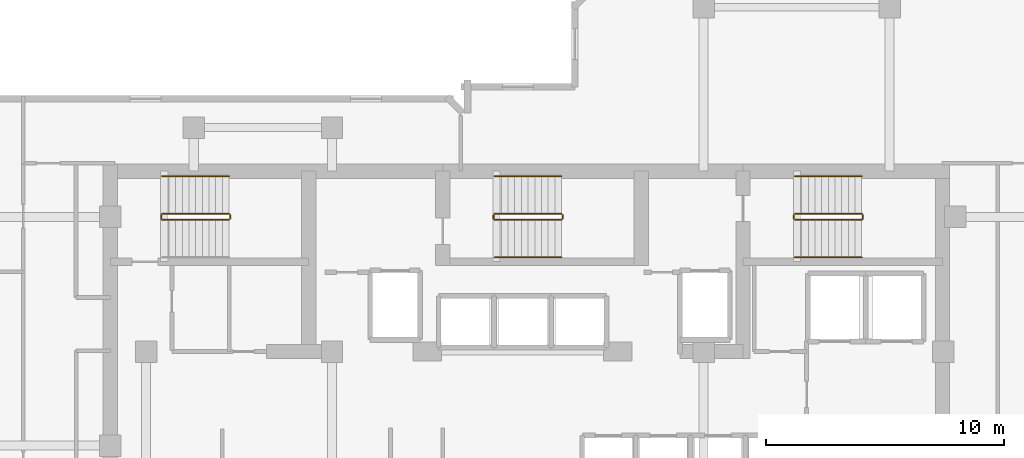
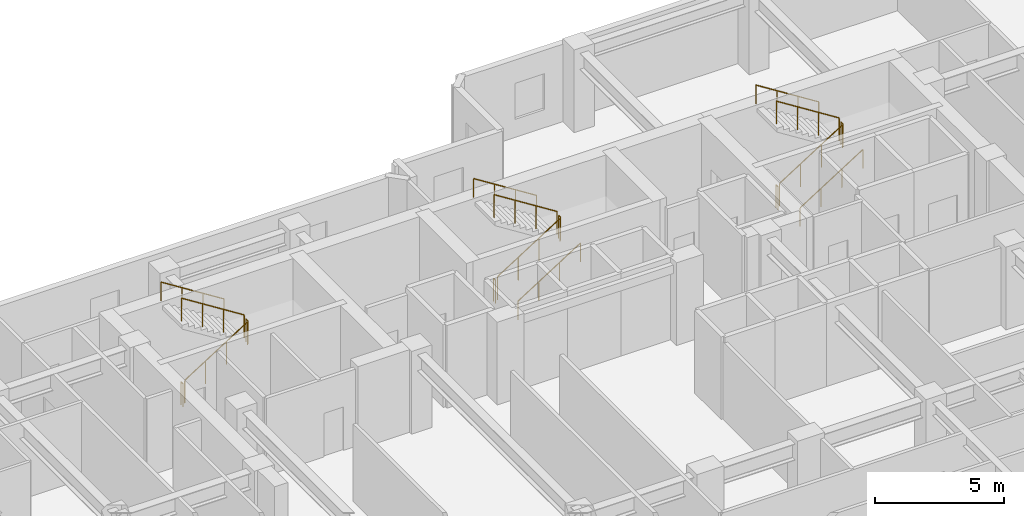
# One storey, part 10 of 10: 17 railings.
"""IFC4 building model written with IfcOpenShell, lengths in metres."""

from ifc_helpers import new_model, si_unit, direction, frame, origin, origin_2d, place, context, subcontext, project, spatial, circle, extrude, material, type_object, element, save


model = new_model("IFC4")

# Units and contexts
model_context = context("Model", 3, precision=1e-05, world=origin(), true_north=direction((0.0, 1.0)))
body_context = subcontext(model_context, "Body", "Model", "MODEL_VIEW")
ifc_project = project(units=[si_unit("LENGTHUNIT", "METRE"), si_unit("AREAUNIT", "SQUARE_METRE"), si_unit("VOLUMEUNIT", "CUBIC_METRE"), si_unit("PLANEANGLEUNIT", "RADIAN"), si_unit("MASSUNIT", "GRAM", prefix="KILO")], contexts=[model_context])

# Site, building, storey
site_placement = place(None, origin())
site = spatial("IfcSite", under=ifc_project, at=site_placement, CompositionType="ELEMENT")
building_placement = place(site_placement, origin())
building = spatial("IfcBuilding", under=site, at=building_placement, Name="Kestravale Grand Hotel", CompositionType="ELEMENT")
storey_placement = place(building_placement, frame((0.0, 0.0, 196.800048828125)))
storey = spatial("IfcBuildingStorey", under=building, at=storey_placement, Name="L49", CompositionType="ELEMENT", Elevation=196.800048828125)

# Railings
ifc_material_1 = material(Name="Painted tubular steel stair well guard", Category="steel")
railing_type_1 = type_object("IfcRailingType", Name="RL-ST-GRD1100", PredefinedType="GUARDRAIL", material=ifc_material_1)
railing_1_placement = place(storey_placement, frame((24.080078125, 38.280029296875, 0.17724609375)))
element("IfcRailing", 1, at=railing_1_placement, inside=storey, type_object=railing_type_1, Name="L49 ST-1 stair guard 1", PredefinedType="GUARDRAIL", context=body_context, shape_type="SweptSolid", body=[
    extrude(circle(Radius=0.02392578125, at=origin_2d()), frame((0.0, 0.0, 1.076171875), z_axis=(0.844887892834, 0.0, 0.53494340686), x_axis=(0.0, 1.0, 0.0)), (0.0, 0.0, 1.0), 3.313720703125),
    extrude(circle(Radius=0.02099609375, at=origin_2d()), origin(), (0.0, 0.0, 1.0), 1.052001953125),
    extrude(circle(Radius=0.02099609375, at=origin_2d()), frame((0.933349609375, 0.0, 0.5908203125)), (0.0, 0.0, 1.0), 1.052001953125),
    extrude(circle(Radius=0.02099609375, at=origin_2d()), frame((1.866455078125, 0.0, 1.181884765625)), (0.0, 0.0, 1.0), 1.052001953125),
    extrude(circle(Radius=0.02099609375, at=origin_2d()), frame((2.7998046875, 0.0, 1.772705078125)), (0.0, 0.0, 1.0), 1.052001953125),
])
railing_2_placement = place(storey_placement, frame((26.929931640625, 38.330078125, 1.949951171875)))
element("IfcRailing", 2, at=railing_2_placement, inside=storey, type_object=railing_type_1, Name="L49 ST-1 stair guard 2", PredefinedType="GUARDRAIL", context=body_context, shape_type="SweptSolid", body=[
    extrude(circle(Radius=0.02392578125, at=origin_2d()), frame((0.0, 0.0, 1.076171875), z_axis=(0.0, 1.0, 0.0), x_axis=(-1.0, 0.0, 0.0)), (0.0, 0.0, 1.0), 0.14990234375),
    extrude(circle(Radius=0.02099609375, at=origin_2d()), origin(), (0.0, 0.0, 1.0), 1.052001953125),
    extrude(circle(Radius=0.02099609375, at=origin_2d()), frame((0.0, 0.14990234375, 0.0)), (0.0, 0.0, 1.0), 1.052001953125),
])
railing_3_placement = place(storey_placement, frame((26.8798828125, 38.530029296875, 2.127197265625)))
element("IfcRailing", 3, at=railing_3_placement, inside=storey, type_object=railing_type_1, Name="L49 ST-1 stair guard 3", PredefinedType="GUARDRAIL", context=body_context, shape_type="SweptSolid", body=[
    extrude(circle(Radius=0.02392578125, at=origin_2d()), frame((0.0, 0.0, 1.076171875), z_axis=(-0.844887892834, 0.0, 0.53494340686), x_axis=(0.0, -1.0, 0.0)), (0.0, 0.0, 1.0), 3.313720703125),
    extrude(circle(Radius=0.02099609375, at=origin_2d()), origin(), (0.0, 0.0, 1.0), 1.052001953125),
    extrude(circle(Radius=0.02099609375, at=origin_2d()), frame((-0.933349609375, 0.0, 0.5908203125)), (0.0, 0.0, 1.0), 1.052001953125),
    extrude(circle(Radius=0.02099609375, at=origin_2d()), frame((-1.866455078125, 0.0, 1.181884765625)), (0.0, 0.0, 1.0), 1.052001953125),
    extrude(circle(Radius=0.02099609375, at=origin_2d()), frame((-2.7998046875, 0.0, 1.772705078125)), (0.0, 0.0, 1.0), 1.052001953125),
])
railing_4_placement = place(storey_placement, frame((24.030029296875, 38.330078125, 0.0)))
element("IfcRailing", 4, at=railing_4_placement, inside=storey, type_object=railing_type_1, Name="L49 ST-1 stair guard 4", PredefinedType="GUARDRAIL", context=body_context, shape_type="SweptSolid", body=[
    extrude(circle(Radius=0.02392578125, at=origin_2d()), frame((0.0, 0.0, 1.076171875), z_axis=(0.0, 1.0, 0.0), x_axis=(-1.0, 0.0, 0.0)), (0.0, 0.0, 1.0), 0.14990234375),
    extrude(circle(Radius=0.02099609375, at=origin_2d()), origin(), (0.0, 0.0, 1.0), 1.052001953125),
    extrude(circle(Radius=0.02099609375, at=origin_2d()), frame((0.0, 0.14990234375, 0.0)), (0.0, 0.0, 1.0), 1.052001953125),
])
railing_5_placement = place(storey_placement, frame((38.030029296875, 38.280029296875, 0.17724609375)))
element("IfcRailing", 5, at=railing_5_placement, inside=storey, type_object=railing_type_1, Name="L49 ST-2 stair guard 1", PredefinedType="GUARDRAIL", context=body_context, shape_type="SweptSolid", body=[
    extrude(circle(Radius=0.02392578125, at=origin_2d()), frame((0.0, 0.0, 1.076171875), z_axis=(0.844908973607, 0.0, 0.534910110503), x_axis=(0.0, 1.0, 0.0)), (0.0, 0.0, 1.0), 3.31396484375),
    extrude(circle(Radius=0.02099609375, at=origin_2d()), origin(), (0.0, 0.0, 1.0), 1.052001953125),
    extrude(circle(Radius=0.02099609375, at=origin_2d()), frame((0.933349609375, 0.0, 0.5908203125)), (0.0, 0.0, 1.0), 1.052001953125),
    extrude(circle(Radius=0.02099609375, at=origin_2d()), frame((1.86669921875, 0.0, 1.181884765625)), (0.0, 0.0, 1.0), 1.052001953125),
    extrude(circle(Radius=0.02099609375, at=origin_2d()), frame((2.800048828125, 0.0, 1.772705078125)), (0.0, 0.0, 1.0), 1.052001953125),
])
railing_6_placement = place(storey_placement, frame((40.8798828125, 38.330078125, 1.949951171875)))
element("IfcRailing", 6, at=railing_6_placement, inside=storey, type_object=railing_type_1, Name="L49 ST-2 stair guard 2", PredefinedType="GUARDRAIL", context=body_context, shape_type="SweptSolid", body=[
    extrude(circle(Radius=0.02392578125, at=origin_2d()), frame((0.0, 0.0, 1.076171875), z_axis=(0.0, 1.0, 0.0), x_axis=(-1.0, 0.0, 0.0)), (0.0, 0.0, 1.0), 0.14990234375),
    extrude(circle(Radius=0.02099609375, at=origin_2d()), origin(), (0.0, 0.0, 1.0), 1.052001953125),
    extrude(circle(Radius=0.02099609375, at=origin_2d()), frame((0.0, 0.14990234375, 0.0)), (0.0, 0.0, 1.0), 1.052001953125),
])
railing_7_placement = place(storey_placement, frame((40.830078125, 38.530029296875, 2.127197265625)))
element("IfcRailing", 7, at=railing_7_placement, inside=storey, type_object=railing_type_1, Name="L49 ST-2 stair guard 3", PredefinedType="GUARDRAIL", context=body_context, shape_type="SweptSolid", body=[
    extrude(circle(Radius=0.02392578125, at=origin_2d()), frame((0.0, 0.0, 1.076171875), z_axis=(-0.844908973607, 0.0, 0.534910110503), x_axis=(0.0, -1.0, 0.0)), (0.0, 0.0, 1.0), 3.31396484375),
    extrude(circle(Radius=0.02099609375, at=origin_2d()), origin(), (0.0, 0.0, 1.0), 1.052001953125),
    extrude(circle(Radius=0.02099609375, at=origin_2d()), frame((-0.933349609375, 0.0, 0.5908203125)), (0.0, 0.0, 1.0), 1.052001953125),
    extrude(circle(Radius=0.02099609375, at=origin_2d()), frame((-1.86669921875, 0.0, 1.181884765625)), (0.0, 0.0, 1.0), 1.052001953125),
    extrude(circle(Radius=0.02099609375, at=origin_2d()), frame((-2.800048828125, 0.0, 1.772705078125)), (0.0, 0.0, 1.0), 1.052001953125),
])
railing_8_placement = place(storey_placement, frame((37.97998046875, 38.330078125, 0.0)))
element("IfcRailing", 8, at=railing_8_placement, inside=storey, type_object=railing_type_1, Name="L49 ST-2 stair guard 4", PredefinedType="GUARDRAIL", context=body_context, shape_type="SweptSolid", body=[
    extrude(circle(Radius=0.02392578125, at=origin_2d()), frame((0.0, 0.0, 1.076171875), z_axis=(0.0, 1.0, 0.0), x_axis=(-1.0, 0.0, 0.0)), (0.0, 0.0, 1.0), 0.14990234375),
    extrude(circle(Radius=0.02099609375, at=origin_2d()), origin(), (0.0, 0.0, 1.0), 1.052001953125),
    extrude(circle(Radius=0.02099609375, at=origin_2d()), frame((0.0, 0.14990234375, 0.0)), (0.0, 0.0, 1.0), 1.052001953125),
])
railing_9_placement = place(storey_placement, frame((50.6298828125, 38.280029296875, 0.17724609375)))
element("IfcRailing", 9, at=railing_9_placement, inside=storey, type_object=railing_type_1, Name="L49 ST-3 stair guard 1", PredefinedType="GUARDRAIL", context=body_context, shape_type="SweptSolid", body=[
    extrude(circle(Radius=0.02392578125, at=origin_2d()), frame((0.0, 0.0, 1.076171875), z_axis=(0.844908973607, 0.0, 0.534910110503), x_axis=(0.0, 1.0, 0.0)), (0.0, 0.0, 1.0), 3.31396484375),
    extrude(circle(Radius=0.02099609375, at=origin_2d()), origin(), (0.0, 0.0, 1.0), 1.052001953125),
    extrude(circle(Radius=0.02099609375, at=origin_2d()), frame((0.933349609375, 0.0, 0.5908203125)), (0.0, 0.0, 1.0), 1.052001953125),
    extrude(circle(Radius=0.02099609375, at=origin_2d()), frame((1.86669921875, 0.0, 1.181884765625)), (0.0, 0.0, 1.0), 1.052001953125),
    extrude(circle(Radius=0.02099609375, at=origin_2d()), frame((2.800048828125, 0.0, 1.772705078125)), (0.0, 0.0, 1.0), 1.052001953125),
])
railing_10_placement = place(storey_placement, frame((53.47998046875, 38.330078125, 1.949951171875)))
element("IfcRailing", 10, at=railing_10_placement, inside=storey, type_object=railing_type_1, Name="L49 ST-3 stair guard 2", PredefinedType="GUARDRAIL", context=body_context, shape_type="SweptSolid", body=[
    extrude(circle(Radius=0.02392578125, at=origin_2d()), frame((0.0, 0.0, 1.076171875), z_axis=(0.0, 1.0, 0.0), x_axis=(-1.0, 0.0, 0.0)), (0.0, 0.0, 1.0), 0.14990234375),
    extrude(circle(Radius=0.02099609375, at=origin_2d()), origin(), (0.0, 0.0, 1.0), 1.052001953125),
    extrude(circle(Radius=0.02099609375, at=origin_2d()), frame((0.0, 0.14990234375, 0.0)), (0.0, 0.0, 1.0), 1.052001953125),
])
railing_11_placement = place(storey_placement, frame((53.429931640625, 38.530029296875, 2.127197265625)))
element("IfcRailing", 11, at=railing_11_placement, inside=storey, type_object=railing_type_1, Name="L49 ST-3 stair guard 3", PredefinedType="GUARDRAIL", context=body_context, shape_type="SweptSolid", body=[
    extrude(circle(Radius=0.02392578125, at=origin_2d()), frame((0.0, 0.0, 1.076171875), z_axis=(-0.844908973607, 0.0, 0.534910110503), x_axis=(0.0, -1.0, 0.0)), (0.0, 0.0, 1.0), 3.31396484375),
    extrude(circle(Radius=0.02099609375, at=origin_2d()), origin(), (0.0, 0.0, 1.0), 1.052001953125),
    extrude(circle(Radius=0.02099609375, at=origin_2d()), frame((-0.933349609375, 0.0, 0.5908203125)), (0.0, 0.0, 1.0), 1.052001953125),
    extrude(circle(Radius=0.02099609375, at=origin_2d()), frame((-1.86669921875, 0.0, 1.181884765625)), (0.0, 0.0, 1.0), 1.052001953125),
    extrude(circle(Radius=0.02099609375, at=origin_2d()), frame((-2.800048828125, 0.0, 1.772705078125)), (0.0, 0.0, 1.0), 1.052001953125),
])
railing_12_placement = place(storey_placement, frame((50.580078125, 38.330078125, 0.0)))
element("IfcRailing", 12, at=railing_12_placement, inside=storey, type_object=railing_type_1, Name="L49 ST-3 stair guard 4", PredefinedType="GUARDRAIL", context=body_context, shape_type="SweptSolid", body=[
    extrude(circle(Radius=0.02392578125, at=origin_2d()), frame((0.0, 0.0, 1.076171875), z_axis=(0.0, 1.0, 0.0), x_axis=(-1.0, 0.0, 0.0)), (0.0, 0.0, 1.0), 0.14990234375),
    extrude(circle(Radius=0.02099609375, at=origin_2d()), origin(), (0.0, 0.0, 1.0), 1.052001953125),
    extrude(circle(Radius=0.02099609375, at=origin_2d()), frame((0.0, 0.14990234375, 0.0)), (0.0, 0.0, 1.0), 1.052001953125),
])
ifc_material_2 = material(Name="Brushed stainless steel wall handrail", Category="steel")
railing_type_2 = type_object("IfcRailingType", Name="RL-ST-HND900", PredefinedType="HANDRAIL", material=ifc_material_2)
railing_13_placement = place(storey_placement, frame((26.8798828125, 40.110107421875, 2.127197265625)))
element("IfcRailing", 13, at=railing_13_placement, inside=storey, type_object=railing_type_2, Name="L49 ST-1 stair handrail 2", PredefinedType="HANDRAIL", context=body_context, shape_type="SweptSolid", body=[
    extrude(circle(Radius=0.02392578125, at=origin_2d()), frame((0.0, 0.0, 0.8759765625), z_axis=(-0.844887892834, 0.0, 0.53494340686), x_axis=(0.0, -1.0, 0.0)), (0.0, 0.0, 1.0), 3.313720703125),
    extrude(circle(Radius=0.02099609375, at=origin_2d()), origin(), (0.0, 0.0, 1.0), 0.851806640625),
    extrude(circle(Radius=0.02099609375, at=origin_2d()), frame((-0.933349609375, 0.0, 0.5908203125)), (0.0, 0.0, 1.0), 0.851806640625),
    extrude(circle(Radius=0.02099609375, at=origin_2d()), frame((-1.866455078125, 0.0, 1.181884765625)), (0.0, 0.0, 1.0), 0.851806640625),
    extrude(circle(Radius=0.02099609375, at=origin_2d()), frame((-2.7998046875, 0.0, 1.772705078125)), (0.0, 0.0, 1.0), 0.851806640625),
])
railing_14_placement = place(storey_placement, frame((38.030029296875, 36.699951171875, 0.17724609375)))
element("IfcRailing", 14, at=railing_14_placement, inside=storey, type_object=railing_type_2, Name="L49 ST-2 stair handrail 1", PredefinedType="HANDRAIL", context=body_context, shape_type="SweptSolid", body=[
    extrude(circle(Radius=0.02392578125, at=origin_2d()), frame((0.0, 0.0, 0.8759765625), z_axis=(0.844908973607, 0.0, 0.534910110503), x_axis=(0.0, 1.0, 0.0)), (0.0, 0.0, 1.0), 3.31396484375),
    extrude(circle(Radius=0.02099609375, at=origin_2d()), origin(), (0.0, 0.0, 1.0), 0.851806640625),
    extrude(circle(Radius=0.02099609375, at=origin_2d()), frame((0.933349609375, 0.0, 0.5908203125)), (0.0, 0.0, 1.0), 0.851806640625),
    extrude(circle(Radius=0.02099609375, at=origin_2d()), frame((1.86669921875, 0.0, 1.181884765625)), (0.0, 0.0, 1.0), 0.851806640625),
    extrude(circle(Radius=0.02099609375, at=origin_2d()), frame((2.800048828125, 0.0, 1.772705078125)), (0.0, 0.0, 1.0), 0.851806640625),
])
railing_15_placement = place(storey_placement, frame((40.830078125, 40.110107421875, 2.127197265625)))
element("IfcRailing", 15, at=railing_15_placement, inside=storey, type_object=railing_type_2, Name="L49 ST-2 stair handrail 2", PredefinedType="HANDRAIL", context=body_context, shape_type="SweptSolid", body=[
    extrude(circle(Radius=0.02392578125, at=origin_2d()), frame((0.0, 0.0, 0.8759765625), z_axis=(-0.844908973607, 0.0, 0.534910110503), x_axis=(0.0, -1.0, 0.0)), (0.0, 0.0, 1.0), 3.31396484375),
    extrude(circle(Radius=0.02099609375, at=origin_2d()), origin(), (0.0, 0.0, 1.0), 0.851806640625),
    extrude(circle(Radius=0.02099609375, at=origin_2d()), frame((-0.933349609375, 0.0, 0.5908203125)), (0.0, 0.0, 1.0), 0.851806640625),
    extrude(circle(Radius=0.02099609375, at=origin_2d()), frame((-1.86669921875, 0.0, 1.181884765625)), (0.0, 0.0, 1.0), 0.851806640625),
    extrude(circle(Radius=0.02099609375, at=origin_2d()), frame((-2.800048828125, 0.0, 1.772705078125)), (0.0, 0.0, 1.0), 0.851806640625),
])
railing_16_placement = place(storey_placement, frame((50.6298828125, 36.699951171875, 0.17724609375)))
element("IfcRailing", 16, at=railing_16_placement, inside=storey, type_object=railing_type_2, Name="L49 ST-3 stair handrail 1", PredefinedType="HANDRAIL", context=body_context, shape_type="SweptSolid", body=[
    extrude(circle(Radius=0.02392578125, at=origin_2d()), frame((0.0, 0.0, 0.8759765625), z_axis=(0.844908973607, 0.0, 0.534910110503), x_axis=(0.0, 1.0, 0.0)), (0.0, 0.0, 1.0), 3.31396484375),
    extrude(circle(Radius=0.02099609375, at=origin_2d()), origin(), (0.0, 0.0, 1.0), 0.851806640625),
    extrude(circle(Radius=0.02099609375, at=origin_2d()), frame((0.933349609375, 0.0, 0.5908203125)), (0.0, 0.0, 1.0), 0.851806640625),
    extrude(circle(Radius=0.02099609375, at=origin_2d()), frame((1.86669921875, 0.0, 1.181884765625)), (0.0, 0.0, 1.0), 0.851806640625),
    extrude(circle(Radius=0.02099609375, at=origin_2d()), frame((2.800048828125, 0.0, 1.772705078125)), (0.0, 0.0, 1.0), 0.851806640625),
])
railing_17_placement = place(storey_placement, frame((53.429931640625, 40.110107421875, 2.127197265625)))
element("IfcRailing", 17, at=railing_17_placement, inside=storey, type_object=railing_type_2, Name="L49 ST-3 stair handrail 2", PredefinedType="HANDRAIL", context=body_context, shape_type="SweptSolid", body=[
    extrude(circle(Radius=0.02392578125, at=origin_2d()), frame((0.0, 0.0, 0.8759765625), z_axis=(-0.844908973607, 0.0, 0.534910110503), x_axis=(0.0, -1.0, 0.0)), (0.0, 0.0, 1.0), 3.31396484375),
    extrude(circle(Radius=0.02099609375, at=origin_2d()), origin(), (0.0, 0.0, 1.0), 0.851806640625),
    extrude(circle(Radius=0.02099609375, at=origin_2d()), frame((-0.933349609375, 0.0, 0.5908203125)), (0.0, 0.0, 1.0), 0.851806640625),
    extrude(circle(Radius=0.02099609375, at=origin_2d()), frame((-1.86669921875, 0.0, 1.181884765625)), (0.0, 0.0, 1.0), 0.851806640625),
    extrude(circle(Radius=0.02099609375, at=origin_2d()), frame((-2.800048828125, 0.0, 1.772705078125)), (0.0, 0.0, 1.0), 0.851806640625),
])

save(model, "model.ifc")
